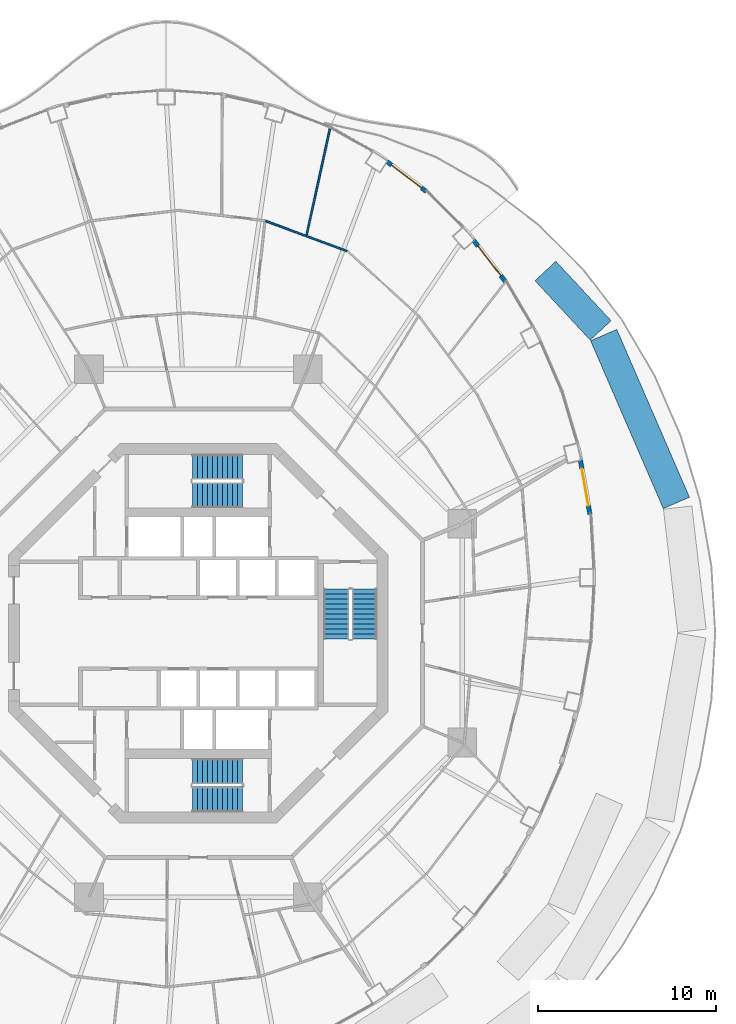
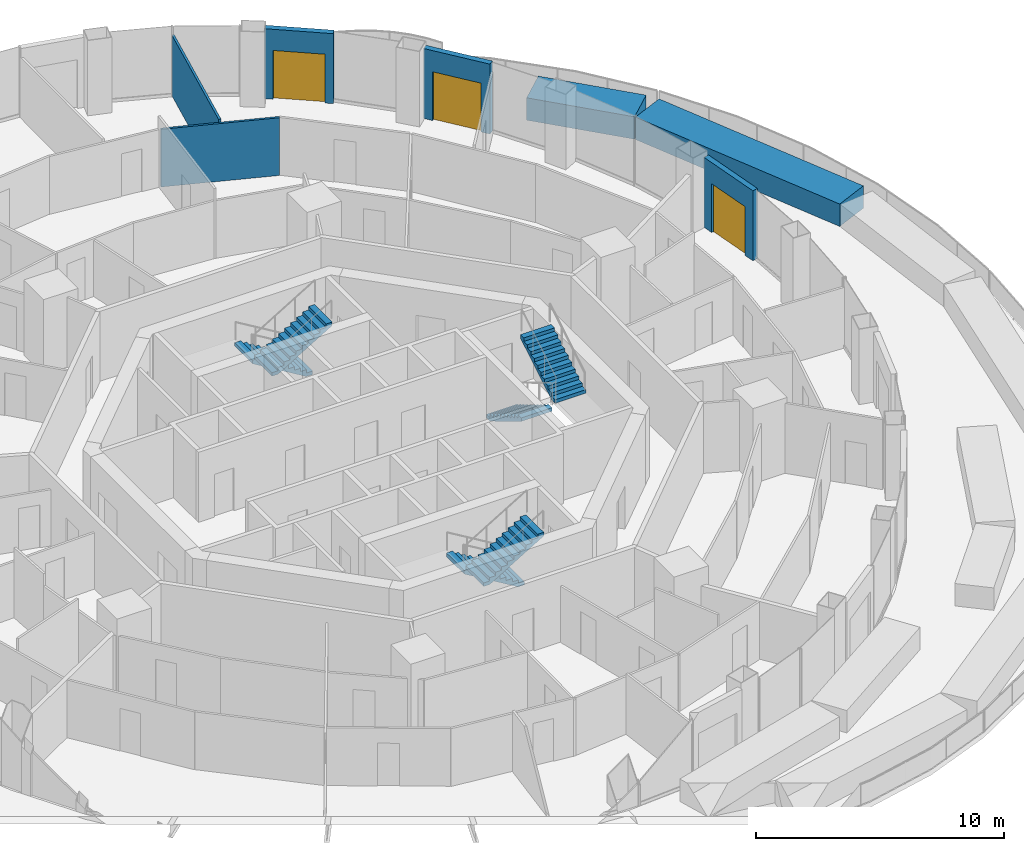
# One storey, part 15 of 18: 7 walls, 6 stair flights, 3 doors, 3 openings, 3 elements without a shape of their own.
"""IFC4 building model written with IfcOpenShell, lengths in metres."""

from ifc_helpers import new_model, si_unit, direction, frame, frame_2d, origin, place, context, subcontext, project, spatial, polyline, rectangle, outline, extrude, material, layer, layer_set, type_object, element, fill, aggregate, save


model = new_model("IFC4")

# Units and contexts
model_context = context("Model", 3, precision=1e-05, world=origin(), true_north=direction((0.0, 1.0)))
body_context = subcontext(model_context, "Body", "Model", "MODEL_VIEW")
ifc_project = project(units=[si_unit("LENGTHUNIT", "METRE"), si_unit("AREAUNIT", "SQUARE_METRE"), si_unit("VOLUMEUNIT", "CUBIC_METRE"), si_unit("PLANEANGLEUNIT", "RADIAN"), si_unit("MASSUNIT", "GRAM", prefix="KILO")], contexts=[model_context])

# Site, building, storey
site_placement = place(None, origin())
site = spatial("IfcSite", under=ifc_project, at=site_placement, CompositionType="ELEMENT")
building_placement = place(site_placement, origin())
building = spatial("IfcBuilding", under=site, at=building_placement, Name="Nagisa Residences", CompositionType="ELEMENT")
storey_placement = place(building_placement, frame((0.0, 0.0, 212.199951171875)))
storey = spatial("IfcBuildingStorey", under=building, at=storey_placement, Name="L53", CompositionType="ELEMENT", Elevation=212.199951171875)

# Walls
ifc_material_1 = material(Name="Gypsum board on steel studs", Category="steel")
ifc_layer_1 = layer(ifc_material_1, 0.10009765625)
ifc_layer_set_1 = layer_set([ifc_layer_1], Name="Apartment partition 100")
wall_type_1 = type_object("IfcWallType", Name="Apartment partition 100", PredefinedType="PARTITIONING", material=ifc_layer_set_1)
wall_1_placement = place(storey_placement, frame((8.3310546875, 21.410888671875, 0.0), z_axis=(0.0, 0.0, 1.0), x_axis=(-0.937891982431, 0.346927412136, 0.0)))
element("IfcWall", 1, at=wall_1_placement, inside=storey, type_object=wall_type_1, Name="wall:L53:u32", PredefinedType="PARTITIONING", context=body_context, shape_type="SweptSolid", body=[
    extrude(rectangle(XDim=4.85009765625, YDim=0.10009765625, at=frame_2d((2.425048828125, 0.0))), origin(), (0.0, 0.0, 1.0), 2.837158203125),
])
wall_2_placement = place(storey_placement, frame((6.0673828125, 22.301025390625, 0.0), z_axis=(0.0, 0.0, 1.0), x_axis=(0.214401821533, 0.976745544614, 0.0)))
element("IfcWall", 2, at=wall_2_placement, inside=storey, type_object=wall_type_1, Name="wall:L53:u33", PredefinedType="PARTITIONING", context=body_context, shape_type="SweptSolid", body=[
    extrude(rectangle(XDim=6.2275390625, YDim=0.10009765625, at=frame_2d((3.11376953125, 0.0))), origin(), (0.0, 0.0, 1.0), 2.983154296875),
])

# Wall, opening, door
ifc_material_2 = material(Name="Precast concrete C40/50", Category="concrete")
ifc_layer_2 = layer(ifc_material_2, 0.25)
ifc_layer_set_2 = layer_set([ifc_layer_2], Name="BALCONY DOOR WALL 250")
wall_type_2 = type_object("IfcWallType", Name="BALCONY DOOR WALL 250", PredefinedType="SOLIDWALL", material=ifc_layer_set_2)
wall_3_placement = place(storey_placement, frame((21.412841796875, 9.692626953125, 0.0), z_axis=(0.0, 0.0, 1.0), x_axis=(0.172177583768, -0.985065926549, 0.0)))
wall_3 = element("IfcWall", 3, at=wall_3_placement, inside=storey, type_object=wall_type_2, Name="wall:L53:bay01", PredefinedType="SOLIDWALL", context=body_context, shape_type="SweptSolid", body=[
    extrude(rectangle(XDim=3.067138671875, YDim=0.25, at=frame_2d((1.53369140625, 0.0))), origin(), (0.0, 0.0, 1.0), 3.43994140625),
])
opening_1_placement = place(wall_3_placement, frame((0.483642578125, 0.0, 0.0)))
opening_1 = element("IfcOpeningElement", 4, at=opening_1_placement, cuts=wall_3, Name="Opening BD-L53-01", PredefinedType="OPENING", context=body_context, shape_type="SweptSolid", body=[
    extrude(rectangle(XDim=2.10009765625, YDim=2.39990234375, at=frame_2d((1.050048828125, 1.199951171875))), frame((0.0, 0.135009765625, 0.0), z_axis=(0.0, -1.0, 0.0), x_axis=(1.0, 0.0, 0.0)), (0.0, 0.0, 1.0), 0.27001953125),
])
ifc_material_3 = material(Name="Aluminium and clear glass", Category="aluminium")
door_type = type_object("IfcDoorType", Name="BALCONY SLIDING DOOR 2100x2400", OperationType="SLIDING_TO_LEFT", PredefinedType="DOOR", material=ifc_material_3)
door_1_placement = place(opening_1_placement, origin())
door_1 = element("IfcDoor", 5, at=door_1_placement, inside=storey, type_object=door_type, Name="door:L53:bay01", OperationType="SLIDING_TO_LEFT", OverallHeight=2.39990234375, OverallWidth=2.10009765625, PredefinedType="DOOR", context=body_context, shape_type="SweptSolid", body=[
    extrude(rectangle(XDim=2.10009765625, YDim=2.39990234375, at=frame_2d((1.050048828125, 1.199951171875))), frame((0.0, 0.02490234375, 0.0), z_axis=(0.0, -1.0, 0.0), x_axis=(1.0, 0.0, 0.0)), (0.0, 0.0, 1.0), 0.050048828125),
])
fill(opening_1, door_1)

wall_4_placement = place(storey_placement, frame((15.42626953125, 22.012939453125, 0.0), z_axis=(0.0, 0.0, 1.0), x_axis=(0.610438565676, -0.792063607001, 0.0)))
wall_4 = element("IfcWall", 6, at=wall_4_placement, inside=storey, type_object=wall_type_2, Name="wall:L53:bay05", PredefinedType="SOLIDWALL", context=body_context, shape_type="SweptSolid", body=[
    extrude(rectangle(XDim=2.90087890625, YDim=0.25, at=frame_2d((1.450439453125, 0.0))), origin(), (0.0, 0.0, 1.0), 3.43994140625),
])
opening_2_placement = place(wall_4_placement, frame((0.400390625, 0.0, 0.0)))
opening_2 = element("IfcOpeningElement", 7, at=opening_2_placement, cuts=wall_4, Name="Opening BD-L53-02", PredefinedType="OPENING", context=body_context, shape_type="SweptSolid", body=[
    extrude(rectangle(XDim=2.10009765625, YDim=2.39990234375, at=frame_2d((1.050048828125, 1.199951171875))), frame((0.0, 0.135009765625, 0.0), z_axis=(0.0, -1.0, 0.0), x_axis=(1.0, 0.0, 0.0)), (0.0, 0.0, 1.0), 0.27001953125),
])
door_2_placement = place(opening_2_placement, origin())
door_2 = element("IfcDoor", 8, at=door_2_placement, inside=storey, type_object=door_type, Name="door:L53:bay05", OperationType="SLIDING_TO_LEFT", OverallHeight=2.39990234375, OverallWidth=2.10009765625, PredefinedType="DOOR", context=body_context, shape_type="SweptSolid", body=[
    extrude(rectangle(XDim=2.10009765625, YDim=2.39990234375, at=frame_2d((1.050048828125, 1.199951171875))), frame((0.0, 0.02490234375, 0.0), z_axis=(0.0, -1.0, 0.0), x_axis=(1.0, 0.0, 0.0)), (0.0, 0.0, 1.0), 0.050048828125),
])
fill(opening_2, door_2)

wall_5_placement = place(storey_placement, frame((10.557373046875, 26.43603515625, 0.0), z_axis=(0.0, 0.0, 1.0), x_axis=(0.796022158395, -0.605267480825, 0.0)))
wall_5 = element("IfcWall", 9, at=wall_5_placement, inside=storey, type_object=wall_type_2, Name="wall:L53:bay07", PredefinedType="SOLIDWALL", context=body_context, shape_type="SweptSolid", body=[
    extrude(rectangle(XDim=2.788818359375, YDim=0.25, at=frame_2d((1.39453125, 0.0))), origin(), (0.0, 0.0, 1.0), 3.43994140625),
])
opening_3_placement = place(wall_5_placement, frame((0.34423828125, 0.0, 0.0)))
opening_3 = element("IfcOpeningElement", 10, at=opening_3_placement, cuts=wall_5, Name="Opening BD-L53-03", PredefinedType="OPENING", context=body_context, shape_type="SweptSolid", body=[
    extrude(rectangle(XDim=2.10009765625, YDim=2.39990234375, at=frame_2d((1.050048828125, 1.199951171875))), frame((0.0, 0.135009765625, 0.0), z_axis=(0.0, -1.0, 0.0), x_axis=(1.0, 0.0, 0.0)), (0.0, 0.0, 1.0), 0.27001953125),
])
door_3_placement = place(opening_3_placement, origin())
door_3 = element("IfcDoor", 11, at=door_3_placement, inside=storey, type_object=door_type, Name="door:L53:bay07", OperationType="SLIDING_TO_LEFT", OverallHeight=2.39990234375, OverallWidth=2.10009765625, PredefinedType="DOOR", context=body_context, shape_type="SweptSolid", body=[
    extrude(rectangle(XDim=2.10009765625, YDim=2.39990234375, at=frame_2d((1.050048828125, 1.199951171875))), frame((0.0, 0.02490234375, 0.0), z_axis=(0.0, -1.0, 0.0), x_axis=(1.0, 0.0, 0.0)), (0.0, 0.0, 1.0), 0.050048828125),
])
fill(opening_3, door_3)

# Walls
ifc_material_4 = material(Name="Precast concrete C30/37", Category="concrete")
ifc_layer_3 = layer(ifc_material_4, 1.60009765625)
ifc_layer_set_3 = layer_set([ifc_layer_3], Name="PLANTER")
wall_type_3 = type_object("IfcWallType", Name="PLANTER", PredefinedType="SOLIDWALL", material=ifc_layer_set_3)
wall_6_placement = place(storey_placement, frame((19.448486328125, 20.2958984375, 0.0), z_axis=(0.0, 0.0, 1.0), x_axis=(0.680759878288, -0.732506647147, 0.0)))
element("IfcWall", 12, at=wall_6_placement, inside=storey, type_object=wall_type_3, Name="planter:L53:garden005", PredefinedType="SOLIDWALL", context=body_context, shape_type="SweptSolid", body=[
    extrude(rectangle(XDim=4.548095703125, YDim=1.60009765625, at=frame_2d((2.27392578125, 0.0))), origin(), (0.0, 0.0, 1.0), 1.10009765625),
])
wall_7_placement = place(storey_placement, frame((22.71435546875, 16.704833984375, 0.0), z_axis=(0.0, 0.0, 1.0), x_axis=(0.397501798616, -0.917601394995, 0.0)))
element("IfcWall", 13, at=wall_7_placement, inside=storey, type_object=wall_type_3, Name="planter:L53:garden007", PredefinedType="SOLIDWALL", context=body_context, shape_type="SweptSolid", body=[
    extrude(rectangle(XDim=10.247802734375, YDim=1.60009765625, at=frame_2d((5.1240234375, 0.0))), origin(), (0.0, 0.0, 1.0), 1.10009765625),
])

# Stair, stair flights
ifc_material_5 = material(Name="Concrete C60", Category="concrete")
stair_type = type_object("IfcStairType", Name="Exit stair", PredefinedType="HALF_TURN_STAIR", material=ifc_material_5)
stair_1_placement = place(storey_placement, origin())
stair_1 = element("IfcStair", 14, at=stair_1_placement, inside=storey, type_object=stair_type, Name="L53 Exit stair E", PredefinedType="HALF_TURN_STAIR")
ifc_material_6 = material(Name="Concrete C60", Category="concrete")
stair_flight_type = type_object("IfcStairFlightType", Name="Exit stair flight", PredefinedType="STRAIGHT", material=ifc_material_6)
stair_flight_1_placement = place(storey_placement, frame((7.737060546875, 2.47509765625, 0.0), z_axis=(0.0, 0.0, 1.0), x_axis=(0.0, -1.0, 0.0)))
stair_flight_1 = element("IfcStairFlight", 15, at=stair_flight_1_placement, type_object=stair_flight_type, Name="ST-E flight 1", NumberOfRisers=11, NumberOfTreads=10, PredefinedType="STRAIGHT", RiserHeight=0.168181818, TreadLength=0.28, context=body_context, shape_type="SweptSolid", body=[
    extrude(outline(polyline([(0.0, 0.0), (0.0, 0.168212890625), (0.280029296875, 0.168212890625), (0.280029296875, 0.33642578125), (0.56005859375, 0.33642578125), (0.56005859375, 0.504638671875), (0.840087890625, 0.504638671875), (0.840087890625, 0.672607421875), (1.1201171875, 0.672607421875), (1.1201171875, 0.8408203125), (1.39990234375, 0.8408203125), (1.39990234375, 1.009033203125), (1.679931640625, 1.009033203125), (1.679931640625, 1.17724609375), (1.9599609375, 1.17724609375), (1.9599609375, 1.345458984375), (2.239990234375, 1.345458984375), (2.239990234375, 1.513671875), (2.52001953125, 1.513671875), (2.52001953125, 1.681884765625), (2.800048828125, 1.681884765625), (2.800048828125, 1.85009765625), (2.800048828125, 1.5068359375), (0.291015625, 0.0), (0.0, 0.0)])), frame((0.0, 0.71240234375, 0.0), z_axis=(0.0, -1.0, 0.0), x_axis=(1.0, 0.0, 0.0)), (0.0, 0.0, 1.0), 1.425048828125),
])
stair_flight_2_placement = place(storey_placement, frame((9.31201171875, -0.324951171875, 1.85009765625), z_axis=(0.0, 0.0, 1.0), x_axis=(0.0, 1.0, 0.0)))
stair_flight_2 = element("IfcStairFlight", 16, at=stair_flight_2_placement, type_object=stair_flight_type, Name="ST-E flight 2", NumberOfRisers=11, NumberOfTreads=10, PredefinedType="STRAIGHT", RiserHeight=0.168181818, TreadLength=0.28, context=body_context, shape_type="SweptSolid", body=[
    extrude(outline(polyline([(0.0, 0.0), (0.0, 0.168212890625), (0.280029296875, 0.168212890625), (0.280029296875, 0.33642578125), (0.56005859375, 0.33642578125), (0.56005859375, 0.504638671875), (0.840087890625, 0.504638671875), (0.840087890625, 0.672607421875), (1.1201171875, 0.672607421875), (1.1201171875, 0.8408203125), (1.39990234375, 0.8408203125), (1.39990234375, 1.009033203125), (1.679931640625, 1.009033203125), (1.679931640625, 1.17724609375), (1.9599609375, 1.17724609375), (1.9599609375, 1.345458984375), (2.239990234375, 1.345458984375), (2.239990234375, 1.513671875), (2.52001953125, 1.513671875), (2.52001953125, 1.681884765625), (2.800048828125, 1.681884765625), (2.800048828125, 1.85009765625), (2.800048828125, 1.5068359375), (0.291015625, 0.0), (0.0, 0.0)])), frame((0.0, 0.71240234375, 0.0), z_axis=(0.0, -1.0, 0.0), x_axis=(1.0, 0.0, 0.0)), (0.0, 0.0, 1.0), 1.425048828125),
])
aggregate(stair_1, [stair_flight_1, stair_flight_2])

stair_2_placement = place(storey_placement, origin())
stair_2 = element("IfcStair", 17, at=stair_2_placement, inside=storey, type_object=stair_type, Name="L53 Exit stair N", PredefinedType="HALF_TURN_STAIR")
stair_flight_3_placement = place(storey_placement, frame((2.47509765625, 9.31201171875, 0.0), z_axis=(0.0, 0.0, 1.0), x_axis=(-1.0, 0.0, 0.0)))
stair_flight_3 = element("IfcStairFlight", 18, at=stair_flight_3_placement, type_object=stair_flight_type, Name="ST-N flight 1", NumberOfRisers=11, NumberOfTreads=10, PredefinedType="STRAIGHT", RiserHeight=0.168181818, TreadLength=0.28, context=body_context, shape_type="SweptSolid", body=[
    extrude(outline(polyline([(0.0, 0.0), (0.0, 0.168212890625), (0.280029296875, 0.168212890625), (0.280029296875, 0.33642578125), (0.56005859375, 0.33642578125), (0.56005859375, 0.504638671875), (0.840087890625, 0.504638671875), (0.840087890625, 0.672607421875), (1.1201171875, 0.672607421875), (1.1201171875, 0.8408203125), (1.39990234375, 0.8408203125), (1.39990234375, 1.009033203125), (1.679931640625, 1.009033203125), (1.679931640625, 1.17724609375), (1.9599609375, 1.17724609375), (1.9599609375, 1.345458984375), (2.239990234375, 1.345458984375), (2.239990234375, 1.513671875), (2.52001953125, 1.513671875), (2.52001953125, 1.681884765625), (2.800048828125, 1.681884765625), (2.800048828125, 1.85009765625), (2.800048828125, 1.5068359375), (0.291015625, 0.0), (0.0, 0.0)])), frame((0.0, 0.71240234375, 0.0), z_axis=(0.0, -1.0, 0.0), x_axis=(1.0, 0.0, 0.0)), (0.0, 0.0, 1.0), 1.425048828125),
])
stair_flight_4_placement = place(storey_placement, frame((-0.324951171875, 7.737060546875, 1.85009765625), z_axis=(0.0, 0.0, 1.0), x_axis=(1.0, 0.0, 0.0)))
stair_flight_4 = element("IfcStairFlight", 19, at=stair_flight_4_placement, type_object=stair_flight_type, Name="ST-N flight 2", NumberOfRisers=11, NumberOfTreads=10, PredefinedType="STRAIGHT", RiserHeight=0.168181818, TreadLength=0.28, context=body_context, shape_type="SweptSolid", body=[
    extrude(outline(polyline([(0.0, 0.0), (0.0, 0.168212890625), (0.280029296875, 0.168212890625), (0.280029296875, 0.33642578125), (0.56005859375, 0.33642578125), (0.56005859375, 0.504638671875), (0.840087890625, 0.504638671875), (0.840087890625, 0.672607421875), (1.1201171875, 0.672607421875), (1.1201171875, 0.8408203125), (1.39990234375, 0.8408203125), (1.39990234375, 1.009033203125), (1.679931640625, 1.009033203125), (1.679931640625, 1.17724609375), (1.9599609375, 1.17724609375), (1.9599609375, 1.345458984375), (2.239990234375, 1.345458984375), (2.239990234375, 1.513671875), (2.52001953125, 1.513671875), (2.52001953125, 1.681884765625), (2.800048828125, 1.681884765625), (2.800048828125, 1.85009765625), (2.800048828125, 1.5068359375), (0.291015625, 0.0), (0.0, 0.0)])), frame((0.0, 0.71240234375, 0.0), z_axis=(0.0, -1.0, 0.0), x_axis=(1.0, 0.0, 0.0)), (0.0, 0.0, 1.0), 1.425048828125),
])
aggregate(stair_2, [stair_flight_3, stair_flight_4])

stair_3_placement = place(storey_placement, origin())
stair_3 = element("IfcStair", 20, at=stair_3_placement, inside=storey, type_object=stair_type, Name="L53 Exit stair S", PredefinedType="HALF_TURN_STAIR")
stair_flight_5_placement = place(storey_placement, frame((2.47509765625, -7.737060546875, 0.0), z_axis=(0.0, 0.0, 1.0), x_axis=(-1.0, 0.0, 0.0)))
stair_flight_5 = element("IfcStairFlight", 21, at=stair_flight_5_placement, type_object=stair_flight_type, Name="ST-S flight 1", NumberOfRisers=11, NumberOfTreads=10, PredefinedType="STRAIGHT", RiserHeight=0.168181818, TreadLength=0.28, context=body_context, shape_type="SweptSolid", body=[
    extrude(outline(polyline([(0.0, 0.0), (0.0, 0.168212890625), (0.280029296875, 0.168212890625), (0.280029296875, 0.33642578125), (0.56005859375, 0.33642578125), (0.56005859375, 0.504638671875), (0.840087890625, 0.504638671875), (0.840087890625, 0.672607421875), (1.1201171875, 0.672607421875), (1.1201171875, 0.8408203125), (1.39990234375, 0.8408203125), (1.39990234375, 1.009033203125), (1.679931640625, 1.009033203125), (1.679931640625, 1.17724609375), (1.9599609375, 1.17724609375), (1.9599609375, 1.345458984375), (2.239990234375, 1.345458984375), (2.239990234375, 1.513671875), (2.52001953125, 1.513671875), (2.52001953125, 1.681884765625), (2.800048828125, 1.681884765625), (2.800048828125, 1.85009765625), (2.800048828125, 1.5068359375), (0.291015625, 0.0), (0.0, 0.0)])), frame((0.0, 0.71240234375, 0.0), z_axis=(0.0, -1.0, 0.0), x_axis=(1.0, 0.0, 0.0)), (0.0, 0.0, 1.0), 1.425048828125),
])
stair_flight_6_placement = place(storey_placement, frame((-0.324951171875, -9.31201171875, 1.85009765625), z_axis=(0.0, 0.0, 1.0), x_axis=(1.0, 0.0, 0.0)))
stair_flight_6 = element("IfcStairFlight", 22, at=stair_flight_6_placement, type_object=stair_flight_type, Name="ST-S flight 2", NumberOfRisers=11, NumberOfTreads=10, PredefinedType="STRAIGHT", RiserHeight=0.168181818, TreadLength=0.28, context=body_context, shape_type="SweptSolid", body=[
    extrude(outline(polyline([(0.0, 0.0), (0.0, 0.168212890625), (0.280029296875, 0.168212890625), (0.280029296875, 0.33642578125), (0.56005859375, 0.33642578125), (0.56005859375, 0.504638671875), (0.840087890625, 0.504638671875), (0.840087890625, 0.672607421875), (1.1201171875, 0.672607421875), (1.1201171875, 0.8408203125), (1.39990234375, 0.8408203125), (1.39990234375, 1.009033203125), (1.679931640625, 1.009033203125), (1.679931640625, 1.17724609375), (1.9599609375, 1.17724609375), (1.9599609375, 1.345458984375), (2.239990234375, 1.345458984375), (2.239990234375, 1.513671875), (2.52001953125, 1.513671875), (2.52001953125, 1.681884765625), (2.800048828125, 1.681884765625), (2.800048828125, 1.85009765625), (2.800048828125, 1.5068359375), (0.291015625, 0.0), (0.0, 0.0)])), frame((0.0, 0.71240234375, 0.0), z_axis=(0.0, -1.0, 0.0), x_axis=(1.0, 0.0, 0.0)), (0.0, 0.0, 1.0), 1.425048828125),
])
aggregate(stair_3, [stair_flight_5, stair_flight_6])

save(model, "model.ifc")
